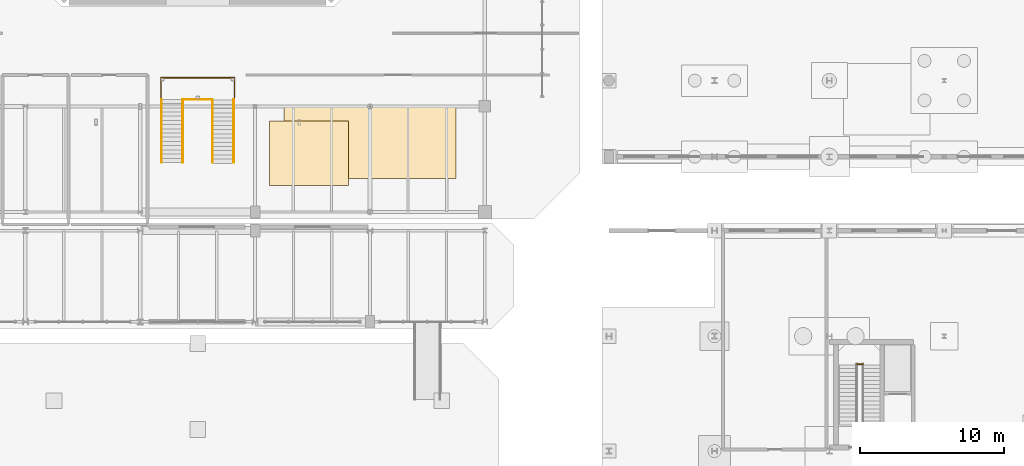
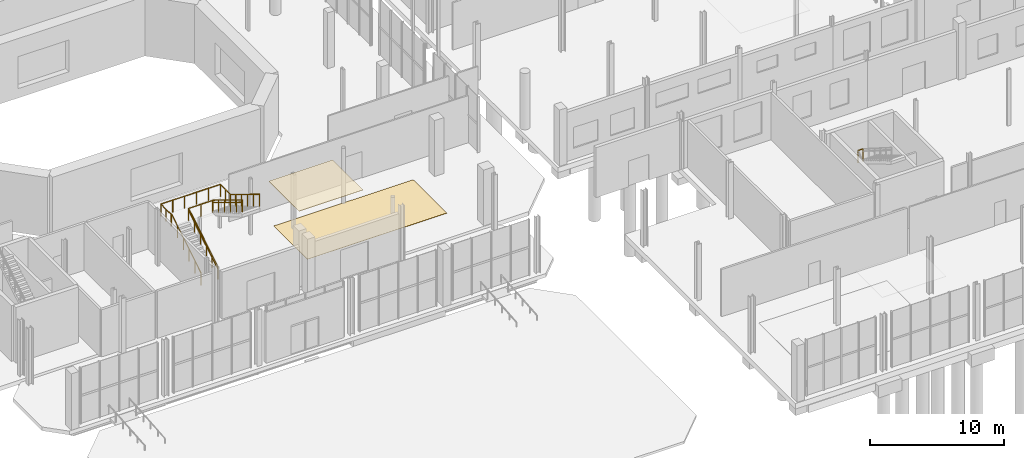
# One storey, part 82 of 87: 9 railings, 2 coverings.
"""IFC4 building model written with IfcOpenShell, lengths in metres."""

import ifcopenshell
import ifcopenshell.guid

model = None  # the IFC model being written
_history = None  # IfcOwnerHistory: only IFC2X3 demands one
_inside = {}  # id of a spatial element -> (the spatial element, [elements in it])
_under = {}  # id of a project, library or spatial element -> (it, [spatial elements below it])
_declared = {}  # id of a project -> (the project, [libraries it declares])
_typed = {}  # id of a type object -> (the type object, [elements of that type])
_made_of = {}  # id of a material, layer set ... -> (it, [elements and type objects made of it])


def new_model(schema):
    """Start an empty IFC model of exactly this schema.

    Asked for "IFC4X3", IfcOpenShell would pick the latest addendum, in which some entities
    have other attributes; the version numbers below select the first issue.
    IFC2X3 requires an IfcOwnerHistory on every rooted entity: one is made here for all.
    """
    global model, _history
    if schema == "IFC4X3":
        model = ifcopenshell.file(schema_version=(4, 3, 0, 0))
    else:
        model = ifcopenshell.file(schema=schema)
    _inside.clear()
    _under.clear()
    _declared.clear()
    _typed.clear()
    _made_of.clear()
    _history = None
    if model.schema == "IFC2X3":
        org = make("IfcOrganization", Name="unknown")
        user = make(
            "IfcPersonAndOrganization",
            ThePerson=make("IfcPerson", FamilyName="unknown"),
            TheOrganization=org,
        )
        app = make(
            "IfcApplication",
            ApplicationDeveloper=org,
            Version="unknown",
            ApplicationFullName="unknown",
            ApplicationIdentifier="unknown",
        )
        _history = make(
            "IfcOwnerHistory",
            OwningUser=user,
            OwningApplication=app,
            ChangeAction="ADDED",
            CreationDate=0,
        )
    return model


def make(cls, **values):
    """One entity of the class cls with the attributes given. An attribute that is None is left unset."""
    return model.create_entity(
        cls, **{name: value for name, value in values.items() if value is not None}
    )


def rooted(cls, **values):
    """An entity with a GlobalId (a new one), such as an element, a storey or a relation."""
    return make(cls, GlobalId=ifcopenshell.guid.new(), OwnerHistory=_history, **values)


def si_unit(unit_type, name, prefix=None):
    """IfcSIUnit, for example si_unit("LENGTHUNIT", "METRE", prefix="MILLI")."""
    return make("IfcSIUnit", UnitType=unit_type, Prefix=prefix, Name=name)


def assignment(units):
    """IfcUnitAssignment: the units of a project."""
    return None if units is None else make("IfcUnitAssignment", Units=units)


def point(xyz):
    """IfcCartesianPoint."""
    return None if xyz is None else make("IfcCartesianPoint", Coordinates=xyz)


def direction(xyz):
    """IfcDirection."""
    return None if xyz is None else make("IfcDirection", DirectionRatios=xyz)


def frame(location, z_axis=None, x_axis=None):
    """IfcAxis2Placement3D, a coordinate frame: its origin and axes. An axis left out is left unset."""
    return make(
        "IfcAxis2Placement3D",
        Location=point(location),
        Axis=direction(z_axis),
        RefDirection=direction(x_axis),
    )


def frame_2d(location, x_axis=None):
    """IfcAxis2Placement2D, a coordinate frame in the plane: its origin and x axis."""
    return make(
        "IfcAxis2Placement2D", Location=point(location), RefDirection=direction(x_axis)
    )


def origin():
    """The frame at (0, 0, 0) with its axes left unset."""
    return frame((0.0, 0.0, 0.0))


def origin_2d():
    """The frame at (0, 0) in the plane with its x axis left unset."""
    return frame_2d((0.0, 0.0))


def place(relative_to, where):
    """IfcLocalPlacement: puts the frame where relative to a parent placement (None: the world)."""
    return make(
        "IfcLocalPlacement", PlacementRelTo=relative_to, RelativePlacement=where
    )


def context(
    kind, dimensions, precision=None, world=None, true_north=None, identifier=None
):
    """IfcGeometricRepresentationContext, for example the 3D "Model" context."""
    return make(
        "IfcGeometricRepresentationContext",
        ContextIdentifier=identifier,
        ContextType=kind,
        CoordinateSpaceDimension=dimensions,
        Precision=precision,
        WorldCoordinateSystem=world,
        TrueNorth=true_north,
    )


def subcontext(parent, identifier, kind, view, scale=None):
    """IfcGeometricRepresentationSubContext, for example "Body" below "Model"."""
    return make(
        "IfcGeometricRepresentationSubContext",
        ContextIdentifier=identifier,
        ContextType=kind,
        ParentContext=parent,
        TargetScale=scale,
        TargetView=view,
    )


def project(units=None, contexts=None):
    """IfcProject with its units and contexts."""
    return rooted(
        "IfcProject",
        Name="project",
        RepresentationContexts=contexts,
        UnitsInContext=assignment(units),
    )


def spatial(cls, under=None, at=None, **own):
    """A site, building, storey or space (cls), placed at a placement, below another one or the project."""
    s = rooted(cls, ObjectPlacement=at, **own)
    if under is not None:
        _under.setdefault(under.id(), (under, []))[1].append(s)
    return s


def profile(cls, at=None, kind="AREA", **sizes):
    """A parametric profile (cls). Its sizes go by their IFC names, for example OverallWidth=200.0."""
    return make(cls, ProfileType=kind, Position=at, **sizes)


def rectangle(**sizes):
    """IfcRectangleProfileDef."""
    return profile("IfcRectangleProfileDef", **sizes)


def circle(**sizes):
    """IfcCircleProfileDef."""
    return profile("IfcCircleProfileDef", **sizes)


def extrude(swept, where, along, depth):
    """IfcExtrudedAreaSolid: the profile swept, set in the frame where, extruded along a direction by depth."""
    return make(
        "IfcExtrudedAreaSolid",
        SweptArea=swept,
        Position=where,
        ExtrudedDirection=direction(along),
        Depth=depth,
    )


def shape(context_of_items, identifier, shape_type, items):
    """IfcShapeRepresentation: the items that make up one representation, for example the "Body"."""
    return make(
        "IfcShapeRepresentation",
        ContextOfItems=context_of_items,
        RepresentationIdentifier=identifier,
        RepresentationType=shape_type,
        Items=items,
    )


def material(Name=None, Category=None):
    """IfcMaterial."""
    return make("IfcMaterial", Name=Name, Category=Category)


def layer(
    of_material, thickness, ventilated=None, Name=None, Category=None, Priority=None
):
    """IfcMaterialLayer: one layer of a wall or slab, of a material (None: an air gap)."""
    return make(
        "IfcMaterialLayer",
        Material=of_material,
        LayerThickness=thickness,
        IsVentilated=ventilated,
        Name=Name,
        Category=Category,
        Priority=Priority,
    )


def layer_set(layers, Name=None):
    """IfcMaterialLayerSet."""
    return make("IfcMaterialLayerSet", MaterialLayers=layers, LayerSetName=Name)


def made_of(thing, what):
    """Note that an element or type object is made of a material, layer set ...; save() writes the relation."""
    if what is not None:
        _made_of.setdefault(what.id(), (what, []))[1].append(thing)
    return thing


def type_object(cls, material=None, **own):
    """A type object (cls), such as IfcWallType, which elements share."""
    return made_of(rooted(cls, **own), material)


def element(
    cls,
    number,
    at=None,
    inside=None,
    cuts=None,
    type_object=None,
    material=None,
    context=None,
    identifier="Body",
    shape_type=None,
    held_by="IfcProductDefinitionShape",
    body=None,
    shapes=None,
    **own,
):
    """One element of the class cls, such as IfcWall. Its Tag is "e" and its number.

    at: its placement. inside: the storey or other place that contains it. cuts: it is an
    opening in that element (IfcRelVoidsElement). A single representation is given by context,
    identifier, shape_type and body (its items); several are given by shapes. held_by: the class
    of the entity that holds the representations. save() writes the other relations.
    """
    e = rooted(cls, Tag="e%d" % number, ObjectPlacement=at, **own)
    if body is not None:
        shapes = [shape(context, identifier, shape_type, body)]
    if shapes is not None:
        e.Representation = make(held_by, Representations=shapes)
    if inside is not None:
        _inside.setdefault(inside.id(), (inside, []))[1].append(e)
    if cuts is not None:
        rooted(
            "IfcRelVoidsElement", RelatingBuildingElement=cuts, RelatedOpeningElement=e
        )
    if type_object is not None:
        _typed.setdefault(type_object.id(), (type_object, []))[1].append(e)
    return made_of(e, material)


def aggregate(whole, parts):
    """IfcRelAggregates: a whole, such as a stair, and the parts it consists of."""
    return rooted("IfcRelAggregates", RelatingObject=whole, RelatedObjects=parts)


def save(model, path):
    """Write the relations noted so far, then the file.

    IfcRelAggregates (storeys below a building ...), IfcRelContainedInSpatialStructure (elements
    in a storey), IfcRelDefinesByType, IfcRelAssociatesMaterial and IfcRelDeclares: one each for
    every whole, place, type object, material and project.
    """
    for whole, parts in _under.values():
        aggregate(whole, parts)
    for where, things in _inside.values():
        rooted(
            "IfcRelContainedInSpatialStructure",
            RelatedElements=things,
            RelatingStructure=where,
        )
    for kind, things in _typed.values():
        rooted("IfcRelDefinesByType", RelatedObjects=things, RelatingType=kind)
    for what, things in _made_of.values():
        rooted("IfcRelAssociatesMaterial", RelatedObjects=things, RelatingMaterial=what)
    for by, libraries in _declared.values():
        rooted("IfcRelDeclares", RelatingContext=by, RelatedDefinitions=libraries)
    model.write(path)


model = new_model("IFC4")

# Units and contexts
model_context = context("Model", 3, precision=1e-05, world=origin(), true_north=direction((0.0, 1.0)))
body_context = subcontext(model_context, "Body", "Model", "MODEL_VIEW")
ifc_project = project(units=[si_unit("LENGTHUNIT", "METRE"), si_unit("AREAUNIT", "SQUARE_METRE"), si_unit("VOLUMEUNIT", "CUBIC_METRE"), si_unit("PLANEANGLEUNIT", "RADIAN"), si_unit("MASSUNIT", "GRAM", prefix="KILO")], contexts=[model_context])

# Site, building, storey
site_placement = place(None, origin())
site = spatial("IfcSite", under=ifc_project, at=site_placement, CompositionType="ELEMENT")
building_placement = place(site_placement, origin())
building = spatial("IfcBuilding", under=site, at=building_placement, Name="Brisemont Oceanarium", CompositionType="ELEMENT")
storey_placement = place(building_placement, origin())
storey = spatial("IfcBuildingStorey", under=building, at=storey_placement, Name="L00", CompositionType="ELEMENT", Elevation=0.0)

# Coverings
ifc_material_1 = material(Name="Perforated Marine-Grade Acoustic Baffle Ceiling")
ifc_layer_1 = layer(ifc_material_1, 0.0400390625)
ifc_layer_set_1 = layer_set([ifc_layer_1], Name="Perforated Marine-Grade Acoustic Baffle Ceiling")
covering_type_1 = type_object("IfcCoveringType", Name="COV-CEIL-AC", PredefinedType="CEILING", material=ifc_layer_set_1)
covering_1_placement = place(storey_placement, frame((91.75, 36.75, 5.02001953125), z_axis=(0.0, 0.0, 1.0), x_axis=(1.0, 0.0, 0.0)))
element("IfcCovering", 1, at=covering_1_placement, inside=storey, type_object=covering_type_1, Name="Acoustic baffle ceiling CLG-V1-L00", PredefinedType="CEILING", context=body_context, shape_type="SweptSolid", body=[
    extrude(rectangle(XDim=5.5, YDim=4.5, at=origin_2d()), origin(), (0.0, 0.0, 1.0), 0.0400390625),
])
ifc_material_2 = material(Name="Epoxy-Bound Recycled Glass Marine Terrazzo", Category="glass")
ifc_layer_2 = layer(ifc_material_2, 0.02490234375)
ifc_layer_set_2 = layer_set([ifc_layer_2], Name="Epoxy-Bound Recycled Glass Marine Terrazzo")
covering_type_2 = type_object("IfcCoveringType", Name="COV-FLR-TER", PredefinedType="FLOORING", material=ifc_layer_set_2)
covering_2_placement = place(storey_placement, frame((96.0, 37.5, 0.0), z_axis=(0.0, 0.0, 1.0), x_axis=(1.0, 0.0, 0.0)))
element("IfcCovering", 2, at=covering_2_placement, inside=storey, type_object=covering_type_2, Name="Marine terrazzo flooring FLG-V1-CONC-S", PredefinedType="FLOORING", context=body_context, shape_type="SweptSolid", body=[
    extrude(rectangle(XDim=12.0, YDim=5.0, at=origin_2d()), origin(), (0.0, 0.0, 1.0), 0.02490234375),
])

# Railings
ifc_material_3 = material(Name="Duplex Stainless Steel EN 1.4462", Category="steel")
railing_type_1 = type_object("IfcRailingType", Name="RLG-GUARD-1120", PredefinedType="GUARDRAIL", material=ifc_material_3)
railing_1_placement = place(storey_placement, frame((129.909912109375, 22.050048828125, 2.699951171875)))
element("IfcRailing", 3, at=railing_1_placement, inside=storey, type_object=railing_type_1, Name="ST-04 L00 landing slot guard", PredefinedType="GUARDRAIL", context=body_context, shape_type="SweptSolid", body=[
    extrude(circle(Radius=0.02392578125, at=origin_2d()), frame((0.0, 0.0, 1.09619140625), z_axis=(1.0, 0.0, 0.0), x_axis=(0.0, 1.0, 0.0)), (0.0, 0.0, 1.0), 0.440185546875),
    extrude(circle(Radius=0.02099609375, at=origin_2d()), origin(), (0.0, 0.0, 1.0), 1.072021484375),
    extrude(circle(Radius=0.02099609375, at=origin_2d()), frame((0.440185546875, 0.0, 0.0)), (0.0, 0.0, 1.0), 1.072021484375),
])
for number, where, name in (
    (4, (81.489990234375, 36.10009765625, 0.0), "ST-11 F1-OUT guard"),
    (5, (82.9599609375, 36.10009765625, 0.0), "ST-11 F1-IN guard"),
):
    element("IfcRailing", number, at=place(storey_placement, frame(where)), inside=storey, type_object=railing_type_1, Name=name, PredefinedType="GUARDRAIL", context=body_context, shape_type="SweptSolid", body=[
        extrude(circle(Radius=0.02392578125, at=origin_2d()), frame((0.0, 0.0, 1.09619140625), z_axis=(0.0, 0.852321770357, 0.52301778151), x_axis=(-1.0, 0.0, 0.0)), (0.0, 0.0, 1.0), 5.162353515625),
        extrude(circle(Radius=0.02099609375, at=origin_2d()), origin(), (0.0, 0.0, 1.0), 1.072021484375),
        extrude(circle(Radius=0.02099609375, at=origin_2d()), frame((0.0, 0.8798828125, 0.5400390625)), (0.0, 0.0, 1.0), 1.072021484375),
        extrude(circle(Radius=0.02099609375, at=origin_2d()), frame((0.0, 1.760009765625, 1.080078125)), (0.0, 0.0, 1.0), 1.072021484375),
        extrude(circle(Radius=0.02099609375, at=origin_2d()), frame((0.0, 2.639892578125, 1.619873046875)), (0.0, 0.0, 1.0), 1.072021484375),
        extrude(circle(Radius=0.02099609375, at=origin_2d()), frame((0.0, 3.52001953125, 2.159912109375)), (0.0, 0.0, 1.0), 1.072021484375),
        extrude(circle(Radius=0.02099609375, at=origin_2d()), frame((0.0, 4.39990234375, 2.699951171875)), (0.0, 0.0, 1.0), 1.072021484375),
    ])
for number, where, name in (
    (6, (85.0400390625, 40.5, 2.699951171875), "ST-11 F2-IN guard"),
    (7, (86.510009765625, 40.5, 2.699951171875), "ST-11 F2-OUT guard"),
):
    element("IfcRailing", number, at=place(storey_placement, frame(where)), inside=storey, type_object=railing_type_1, Name=name, PredefinedType="GUARDRAIL", context=body_context, shape_type="SweptSolid", body=[
        extrude(circle(Radius=0.02392578125, at=origin_2d()), frame((0.0, 0.0, 1.09619140625), z_axis=(0.0, -0.852321770357, 0.52301778151), x_axis=(1.0, 0.0, 0.0)), (0.0, 0.0, 1.0), 5.162353515625),
        extrude(circle(Radius=0.02099609375, at=origin_2d()), origin(), (0.0, 0.0, 1.0), 1.072021484375),
        extrude(circle(Radius=0.02099609375, at=origin_2d()), frame((0.0, -0.8798828125, 0.5400390625)), (0.0, 0.0, 1.0), 1.072021484375),
        extrude(circle(Radius=0.02099609375, at=origin_2d()), frame((0.0, -1.760009765625, 1.080078125)), (0.0, 0.0, 1.0), 1.072021484375),
        extrude(circle(Radius=0.02099609375, at=origin_2d()), frame((0.0, -2.639892578125, 1.619873046875)), (0.0, 0.0, 1.0), 1.072021484375),
        extrude(circle(Radius=0.02099609375, at=origin_2d()), frame((0.0, -3.52001953125, 2.159912109375)), (0.0, 0.0, 1.0), 1.072021484375),
        extrude(circle(Radius=0.02099609375, at=origin_2d()), frame((0.0, -4.39990234375, 2.699951171875)), (0.0, 0.0, 1.0), 1.072021484375),
    ])
railing_2_placement = place(storey_placement, frame((81.43994140625, 40.47998046875, 2.699951171875)))
element("IfcRailing", 8, at=railing_2_placement, inside=storey, type_object=railing_type_1, Name="ST-11 LND-U guard", PredefinedType="GUARDRAIL", context=body_context, shape_type="SweptSolid", body=[
    extrude(circle(Radius=0.02392578125, at=origin_2d()), frame((0.0, 0.0, 1.09619140625), z_axis=(0.0, 1.0, 0.0), x_axis=(-1.0, 0.0, 0.0)), (0.0, 0.0, 1.0), 1.52001953125),
    extrude(circle(Radius=0.02392578125, at=origin_2d()), frame((0.0, 1.52001953125, 1.09619140625), z_axis=(1.0, 0.0, 0.0), x_axis=(0.0, 1.0, 0.0)), (0.0, 0.0, 1.0), 5.1201171875),
    extrude(circle(Radius=0.02392578125, at=origin_2d()), frame((5.1201171875, 1.52001953125, 1.09619140625), z_axis=(0.0, -1.0, 0.0), x_axis=(1.0, 0.0, 0.0)), (0.0, 0.0, 1.0), 1.52001953125),
    extrude(circle(Radius=0.02099609375, at=origin_2d()), origin(), (0.0, 0.0, 1.0), 1.072021484375),
    extrude(circle(Radius=0.02099609375, at=origin_2d()), frame((0.0, 0.760009765625, 0.0)), (0.0, 0.0, 1.0), 1.072021484375),
    extrude(circle(Radius=0.02099609375, at=origin_2d()), frame((0.0, 1.52001953125, 0.0)), (0.0, 0.0, 1.0), 1.072021484375),
    extrude(circle(Radius=0.02099609375, at=origin_2d()), frame((1.02392578125, 1.52001953125, 0.0)), (0.0, 0.0, 1.0), 1.072021484375),
    extrude(circle(Radius=0.02099609375, at=origin_2d()), frame((2.048095703125, 1.52001953125, 0.0)), (0.0, 0.0, 1.0), 1.072021484375),
    extrude(circle(Radius=0.02099609375, at=origin_2d()), frame((3.072021484375, 1.52001953125, 0.0)), (0.0, 0.0, 1.0), 1.072021484375),
    extrude(circle(Radius=0.02099609375, at=origin_2d()), frame((4.09619140625, 1.52001953125, 0.0)), (0.0, 0.0, 1.0), 1.072021484375),
    extrude(circle(Radius=0.02099609375, at=origin_2d()), frame((5.1201171875, 1.52001953125, 0.0)), (0.0, 0.0, 1.0), 1.072021484375),
    extrude(circle(Radius=0.02099609375, at=origin_2d()), frame((5.1201171875, 0.760009765625, 0.0)), (0.0, 0.0, 1.0), 1.072021484375),
    extrude(circle(Radius=0.02099609375, at=origin_2d()), frame((5.1201171875, 0.0, 0.0)), (0.0, 0.0, 1.0), 1.072021484375),
])
railing_3_placement = place(storey_placement, frame((82.9599609375, 40.47998046875, 2.699951171875)))
element("IfcRailing", 9, at=railing_3_placement, inside=storey, type_object=railing_type_1, Name="ST-11 LND-SLOT guard", PredefinedType="GUARDRAIL", context=body_context, shape_type="SweptSolid", body=[
    extrude(circle(Radius=0.02392578125, at=origin_2d()), frame((0.0, 0.0, 1.09619140625), z_axis=(1.0, 0.0, 0.0), x_axis=(0.0, 1.0, 0.0)), (0.0, 0.0, 1.0), 2.080078125),
    extrude(circle(Radius=0.02099609375, at=origin_2d()), origin(), (0.0, 0.0, 1.0), 1.072021484375),
    extrude(circle(Radius=0.02099609375, at=origin_2d()), frame((1.0400390625, 0.0, 0.0)), (0.0, 0.0, 1.0), 1.072021484375),
    extrude(circle(Radius=0.02099609375, at=origin_2d()), frame((2.080078125, 0.0, 0.0)), (0.0, 0.0, 1.0), 1.072021484375),
])
ifc_material_4 = material(Name="Duplex Stainless Steel EN 1.4462", Category="steel")
railing_type_2 = type_object("IfcRailingType", Name="RLG-HAND-900", PredefinedType="HANDRAIL", material=ifc_material_4)
railing_4_placement = place(storey_placement, frame((82.9599609375, 36.10009765625, 0.0)))
element("IfcRailing", 10, at=railing_4_placement, inside=storey, type_object=railing_type_2, Name="ST-11 F1-IN handrail", PredefinedType="HANDRAIL", context=body_context, shape_type="SweptSolid", body=[
    extrude(circle(Radius=0.02392578125, at=origin_2d()), frame((0.0, 0.0, 0.8759765625), z_axis=(0.0, 0.852321770357, 0.52301778151), x_axis=(-1.0, 0.0, 0.0)), (0.0, 0.0, 1.0), 5.162353515625),
    extrude(circle(Radius=0.02099609375, at=origin_2d()), origin(), (0.0, 0.0, 1.0), 0.851806640625),
    extrude(circle(Radius=0.02099609375, at=origin_2d()), frame((0.0, 0.8798828125, 0.5400390625)), (0.0, 0.0, 1.0), 0.851806640625),
    extrude(circle(Radius=0.02099609375, at=origin_2d()), frame((0.0, 1.760009765625, 1.080078125)), (0.0, 0.0, 1.0), 0.851806640625),
    extrude(circle(Radius=0.02099609375, at=origin_2d()), frame((0.0, 2.639892578125, 1.619873046875)), (0.0, 0.0, 1.0), 0.851806640625),
    extrude(circle(Radius=0.02099609375, at=origin_2d()), frame((0.0, 3.52001953125, 2.159912109375)), (0.0, 0.0, 1.0), 0.851806640625),
    extrude(circle(Radius=0.02099609375, at=origin_2d()), frame((0.0, 4.39990234375, 2.699951171875)), (0.0, 0.0, 1.0), 0.851806640625),
])
railing_5_placement = place(storey_placement, frame((85.0400390625, 40.5, 2.699951171875)))
element("IfcRailing", 11, at=railing_5_placement, inside=storey, type_object=railing_type_2, Name="ST-11 F2-IN handrail", PredefinedType="HANDRAIL", context=body_context, shape_type="SweptSolid", body=[
    extrude(circle(Radius=0.02392578125, at=origin_2d()), frame((0.0, 0.0, 0.8759765625), z_axis=(0.0, -0.852321770357, 0.52301778151), x_axis=(1.0, 0.0, 0.0)), (0.0, 0.0, 1.0), 5.162353515625),
    extrude(circle(Radius=0.02099609375, at=origin_2d()), origin(), (0.0, 0.0, 1.0), 0.851806640625),
    extrude(circle(Radius=0.02099609375, at=origin_2d()), frame((0.0, -0.8798828125, 0.5400390625)), (0.0, 0.0, 1.0), 0.851806640625),
    extrude(circle(Radius=0.02099609375, at=origin_2d()), frame((0.0, -1.760009765625, 1.080078125)), (0.0, 0.0, 1.0), 0.851806640625),
    extrude(circle(Radius=0.02099609375, at=origin_2d()), frame((0.0, -2.639892578125, 1.619873046875)), (0.0, 0.0, 1.0), 0.851806640625),
    extrude(circle(Radius=0.02099609375, at=origin_2d()), frame((0.0, -3.52001953125, 2.159912109375)), (0.0, 0.0, 1.0), 0.851806640625),
    extrude(circle(Radius=0.02099609375, at=origin_2d()), frame((0.0, -4.39990234375, 2.699951171875)), (0.0, 0.0, 1.0), 0.851806640625),
])

save(model, "model.ifc")
